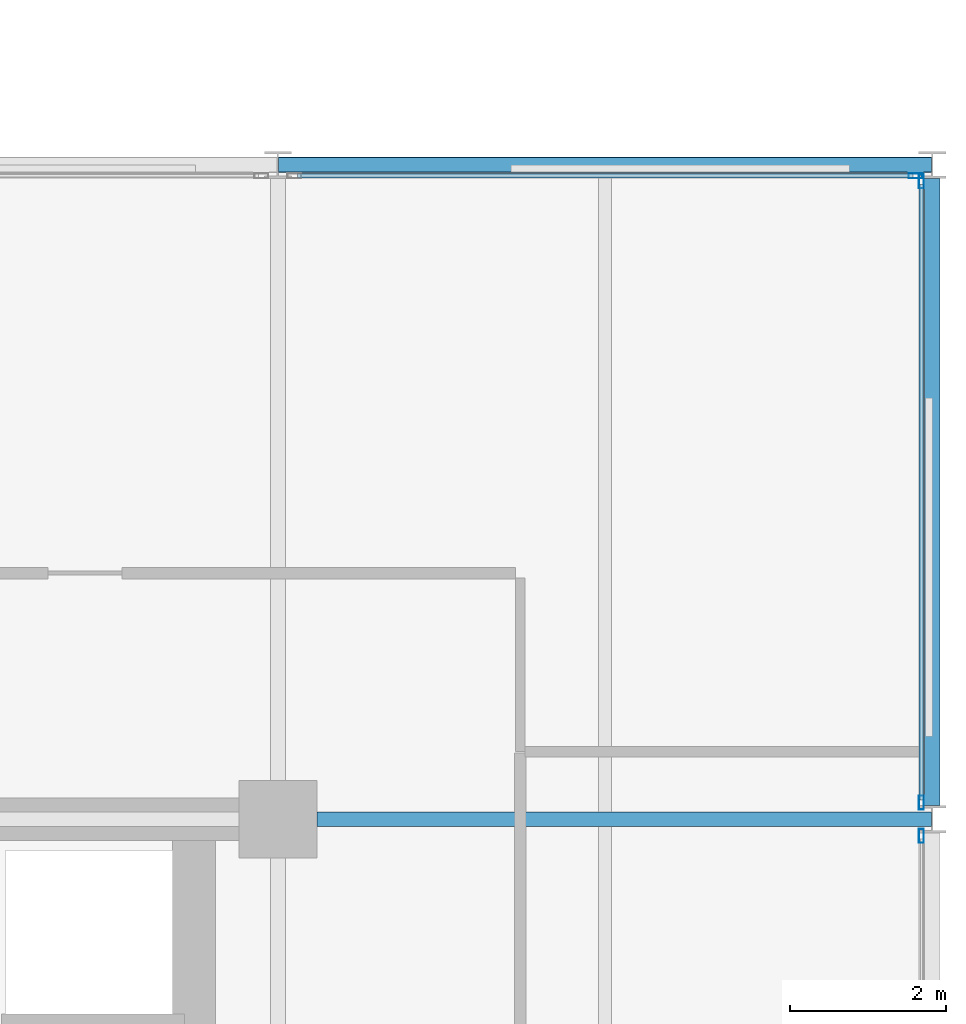
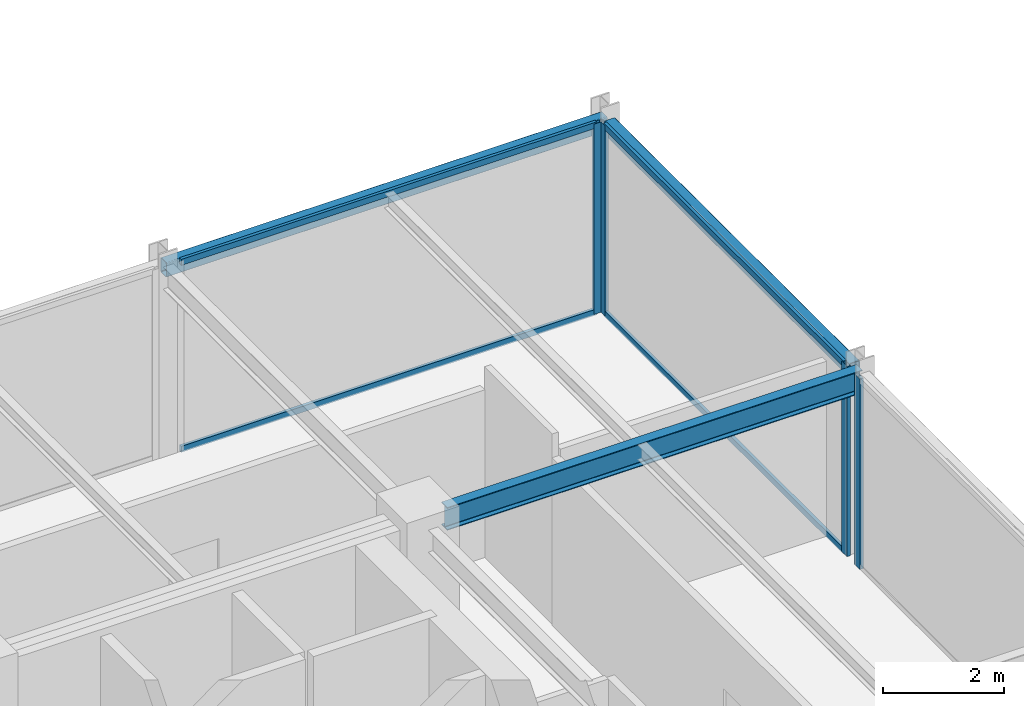
# One storey, part 16 of 29: 8 members, 3 beams, 3 elements without a shape of their own.
"""IFC4 building model written with IfcOpenShell, lengths in metres."""

from ifc_helpers import new_model, si_unit, direction, frame, origin, origin_2d, place, context, subcontext, project, spatial, hollow_rectangle, i_section, extrude, material, layer, layer_set, material_profile, profile_set, type_object, element, aggregate, save


model = new_model("IFC4")

# Units and contexts
model_context = context("Model", 3, precision=1e-05, world=origin(), true_north=direction((0.0, 1.0)))
body_context = subcontext(model_context, "Body", "Model", "MODEL_VIEW")
ifc_project = project(units=[si_unit("LENGTHUNIT", "METRE"), si_unit("AREAUNIT", "SQUARE_METRE"), si_unit("VOLUMEUNIT", "CUBIC_METRE"), si_unit("PLANEANGLEUNIT", "RADIAN"), si_unit("MASSUNIT", "GRAM", prefix="KILO")], contexts=[model_context])

# Site, building, storey
site_placement = place(None, origin())
site = spatial("IfcSite", under=ifc_project, at=site_placement, CompositionType="ELEMENT")
building_placement = place(site_placement, origin())
building = spatial("IfcBuilding", under=site, at=building_placement, Name="Nerrivon Quay Data Exchange", CompositionType="ELEMENT")
storey_placement = place(building_placement, frame((0.0, 0.0, 196.0)))
storey = spatial("IfcBuildingStorey", under=building, at=storey_placement, Name="L46", CompositionType="ELEMENT", Elevation=196.0)

# Beams
ifc_material_1 = material(Name="Steel Grade 350", Category="steel")
ifc_material_profile_1 = material_profile(ifc_material_1, i_section(OverallWidth=0.19091796875, OverallDepth=0.4599609375, WebThickness=0.010009765625, FlangeThickness=0.01611328125, FilletRadius=0.011474609375, at=origin_2d()), Name="460UB82.1")
ifc_profile_set_1 = profile_set([ifc_material_profile_1], Name="Steel Grade 350")
beam_type_1 = type_object("IfcBeamType", Name="BM-G5-460UB82", PredefinedType="BEAM", material=ifc_profile_set_1)
beam_1_placement = place(storey_placement, frame((34.10009765625, 16.800048828125, 3.594970703125), z_axis=(1.0, 0.0, 0.0), x_axis=(0.0, 1.0, 0.0)))
element("IfcBeam", 1, at=beam_1_placement, inside=storey, type_object=beam_type_1, Name="L46 EW Girder Y=16.8 (33.6..42.0)", PredefinedType="BEAM", context=body_context, shape_type="SweptSolid", body=[
    extrude(i_section(OverallWidth=0.19091796875, OverallDepth=0.4599609375, WebThickness=0.010009765625, FlangeThickness=0.01611328125, FilletRadius=0.011474609375, at=origin_2d()), origin(), (0.0, 0.0, 1.0), 7.889892578125),
])
ifc_material_2 = material(Name="Steel Grade C350L0 (350 MPa)", Category="steel")
ifc_material_profile_2 = material_profile(ifc_material_2, hollow_rectangle(XDim=0.199951171875, YDim=0.300048828125, WallThickness=0.012451171875, InnerFilletRadius=0.018798828125, OuterFilletRadius=0.03125, at=origin_2d()), Name="300x200x12.5RHS")
ifc_profile_set_2 = profile_set([ifc_material_profile_2], Name="Steel Grade C350L0 (350 MPa)")
beam_type_2 = type_object("IfcBeamType", Name="BM-SP3-300x200RHS", PredefinedType="SPANDREL", material=ifc_profile_set_2)
beam_2_placement = place(storey_placement, frame((33.610107421875, 25.199951171875, 3.675048828125), z_axis=(1.0, 0.0, 0.0), x_axis=(0.0, 1.0, 0.0)))
element("IfcBeam", 2, at=beam_2_placement, inside=storey, type_object=beam_type_2, Name="L46 EW Girder Y=25.2 (33.6..42.0)", PredefinedType="SPANDREL", context=body_context, shape_type="SweptSolid", body=[
    extrude(hollow_rectangle(XDim=0.199951171875, YDim=0.300048828125, WallThickness=0.012451171875, InnerFilletRadius=0.018798828125, OuterFilletRadius=0.03125, at=origin_2d()), origin(), (0.0, 0.0, 1.0), 8.3798828125),
])
beam_3_placement = place(storey_placement, frame((42.0, 16.97509765625, 3.675048828125), z_axis=(0.0, 1.0, 0.0), x_axis=(-1.0, 0.0, 0.0)))
element("IfcBeam", 3, at=beam_3_placement, inside=storey, type_object=beam_type_2, Name="L46 NS Girder X=42.0 (16.8..25.2)", PredefinedType="SPANDREL", context=body_context, shape_type="SweptSolid", body=[
    extrude(hollow_rectangle(XDim=0.199951171875, YDim=0.300048828125, WallThickness=0.012451171875, InnerFilletRadius=0.018798828125, OuterFilletRadius=0.03125, at=origin_2d()), origin(), (0.0, 0.0, 1.0), 8.0498046875),
])

# Curtain wall, member
ifc_material_3 = material(Name="Anodised aluminium 6063-T6", Category="aluminium")
ifc_layer = layer(ifc_material_3, 0.195068359375)
ifc_layer_set = layer_set([ifc_layer], Name="Anodised aluminium 6063-T6")
curtain_wall_type = type_object("IfcCurtainWallType", Name="CW-SYS-06", PredefinedType="NOTDEFINED", material=ifc_layer_set)
curtain_wall_1_placement = place(storey_placement, origin())
curtain_wall_1 = element("IfcCurtainWall", 4, at=curtain_wall_1_placement, inside=storey, type_object=curtain_wall_type, Name="L46 Unitised Curtain Wall 17", PredefinedType="NOTDEFINED")
ifc_material_profile_3 = material_profile(ifc_material_3, hollow_rectangle(XDim=0.06494140625, YDim=0.179931640625, WallThickness=0.00341796875, at=origin_2d()), Name="ALU-MULL-180x65")
ifc_profile_set_3 = profile_set([ifc_material_profile_3], Name="Anodised aluminium 6063-T6")
member_type_1 = type_object("IfcMemberType", Name="CWM-180x65", PredefinedType="MULLION", material=ifc_profile_set_3)
member_1_placement = place(storey_placement, frame((41.78759765625, 25.06005859375, 0.0), z_axis=(0.0, 0.0, 1.0), x_axis=(0.0, 1.0, 0.0)))
member_1 = element("IfcMember", 5, at=member_1_placement, type_object=member_type_1, Name="CW06 mullion 2", PredefinedType="MULLION", context=body_context, shape_type="SweptSolid", body=[
    extrude(hollow_rectangle(XDim=0.06494140625, YDim=0.179931640625, WallThickness=0.00341796875, at=origin_2d()), origin(), (0.0, 0.0, 1.0), 3.824951171875),
])

# Curtain wall, members
curtain_wall_2_placement = place(storey_placement, origin())
curtain_wall_2 = element("IfcCurtainWall", 6, at=curtain_wall_2_placement, inside=storey, type_object=curtain_wall_type, Name="L46 Unitised Curtain Wall 18", PredefinedType="NOTDEFINED")
member_2_placement = place(storey_placement, frame((41.860107421875, 24.987548828125, 0.0), z_axis=(0.0, 0.0, 1.0), x_axis=(1.0, 0.0, 0.0)))
member_2 = element("IfcMember", 7, at=member_2_placement, type_object=member_type_1, Name="CW06 mullion 1", PredefinedType="MULLION", context=body_context, shape_type="SweptSolid", body=[
    extrude(hollow_rectangle(XDim=0.06494140625, YDim=0.179931640625, WallThickness=0.00341796875, at=origin_2d()), origin(), (0.0, 0.0, 1.0), 3.824951171875),
])
member_3_placement = place(storey_placement, frame((41.860107421875, 17.012451171875, 0.0), z_axis=(0.0, 0.0, 1.0), x_axis=(1.0, 0.0, 0.0)))
member_3 = element("IfcMember", 8, at=member_3_placement, type_object=member_type_1, Name="CW06 mullion 2", PredefinedType="MULLION", context=body_context, shape_type="SweptSolid", body=[
    extrude(hollow_rectangle(XDim=0.06494140625, YDim=0.179931640625, WallThickness=0.00341796875, at=origin_2d()), origin(), (0.0, 0.0, 1.0), 3.824951171875),
])

# Curtain wall, member
curtain_wall_3_placement = place(storey_placement, origin())
curtain_wall_3 = element("IfcCurtainWall", 9, at=curtain_wall_3_placement, inside=storey, type_object=curtain_wall_type, Name="L46 Unitised Curtain Wall 19", PredefinedType="NOTDEFINED")
member_4_placement = place(storey_placement, frame((41.860107421875, 16.58740234375, 0.0), z_axis=(0.0, 0.0, 1.0), x_axis=(1.0, 0.0, 0.0)))
member_4 = element("IfcMember", 10, at=member_4_placement, type_object=member_type_1, Name="CW06 mullion 1", PredefinedType="MULLION", context=body_context, shape_type="SweptSolid", body=[
    extrude(hollow_rectangle(XDim=0.06494140625, YDim=0.179931640625, WallThickness=0.00341796875, at=origin_2d()), origin(), (0.0, 0.0, 1.0), 3.824951171875),
])
aggregate(curtain_wall_3, [member_4])

# Member
ifc_material_profile_4 = material_profile(ifc_material_3, hollow_rectangle(XDim=0.06005859375, YDim=0.1201171875, WallThickness=0.003173828125, at=origin_2d()), Name="ALU-TRAN-120x60")
ifc_profile_set_4 = profile_set([ifc_material_profile_4], Name="Anodised aluminium 6063-T6")
member_type_2 = type_object("IfcMemberType", Name="CWT-120x60", PredefinedType="USERDEFINED", material=ifc_profile_set_4)
member_5_placement = place(storey_placement, frame((33.85009765625, 25.06005859375, 0.032470703125), z_axis=(1.0, 0.0, 0.0), x_axis=(0.0, 1.0, 0.0)))
member_5 = element("IfcMember", 11, at=member_5_placement, type_object=member_type_2, Name="CW06 transom 1.1", ObjectType="TRANSOM", PredefinedType="USERDEFINED", context=body_context, shape_type="SweptSolid", body=[
    extrude(hollow_rectangle(XDim=0.06005859375, YDim=0.1201171875, WallThickness=0.003173828125, at=origin_2d()), origin(), (0.0, 0.0, 1.0), 7.89990234375),
])

member_6_placement = place(storey_placement, frame((33.85009765625, 25.06005859375, 3.79248046875), z_axis=(1.0, 0.0, 0.0), x_axis=(0.0, 1.0, 0.0)))
member_6 = element("IfcMember", 12, at=member_6_placement, type_object=member_type_2, Name="CW06 transom 1.2", ObjectType="TRANSOM", PredefinedType="USERDEFINED", context=body_context, shape_type="SweptSolid", body=[
    extrude(hollow_rectangle(XDim=0.06005859375, YDim=0.1201171875, WallThickness=0.003173828125, at=origin_2d()), origin(), (0.0, 0.0, 1.0), 7.89990234375),
])

aggregate(curtain_wall_1, [member_1, member_5, member_6])

member_7_placement = place(storey_placement, frame((41.860107421875, 24.949951171875, 0.032470703125), z_axis=(0.0, -1.0, 0.0), x_axis=(1.0, 0.0, 0.0)))
member_7 = element("IfcMember", 13, at=member_7_placement, type_object=member_type_2, Name="CW06 transom 1.1", ObjectType="TRANSOM", PredefinedType="USERDEFINED", context=body_context, shape_type="SweptSolid", body=[
    extrude(hollow_rectangle(XDim=0.06005859375, YDim=0.1201171875, WallThickness=0.003173828125, at=origin_2d()), origin(), (0.0, 0.0, 1.0), 7.89990234375),
])

member_8_placement = place(storey_placement, frame((41.860107421875, 24.949951171875, 3.79248046875), z_axis=(0.0, -1.0, 0.0), x_axis=(1.0, 0.0, 0.0)))
member_8 = element("IfcMember", 14, at=member_8_placement, type_object=member_type_2, Name="CW06 transom 1.2", ObjectType="TRANSOM", PredefinedType="USERDEFINED", context=body_context, shape_type="SweptSolid", body=[
    extrude(hollow_rectangle(XDim=0.06005859375, YDim=0.1201171875, WallThickness=0.003173828125, at=origin_2d()), origin(), (0.0, 0.0, 1.0), 7.89990234375),
])

aggregate(curtain_wall_2, [member_2, member_3, member_7, member_8])

save(model, "model.ifc")
